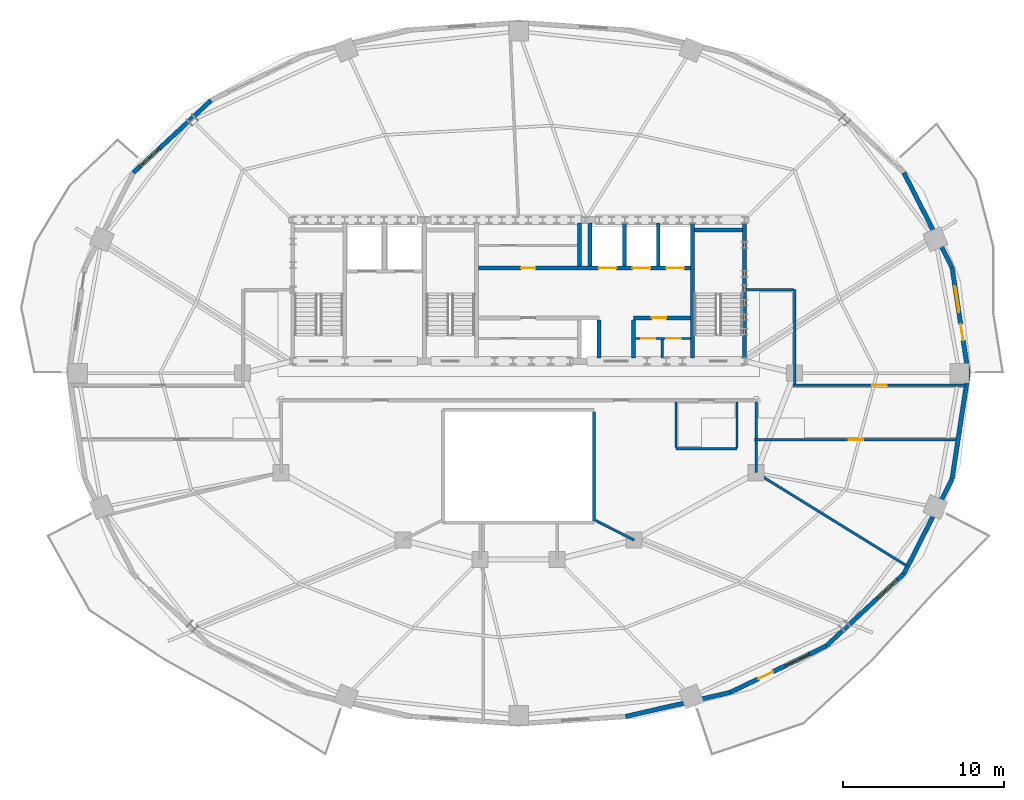
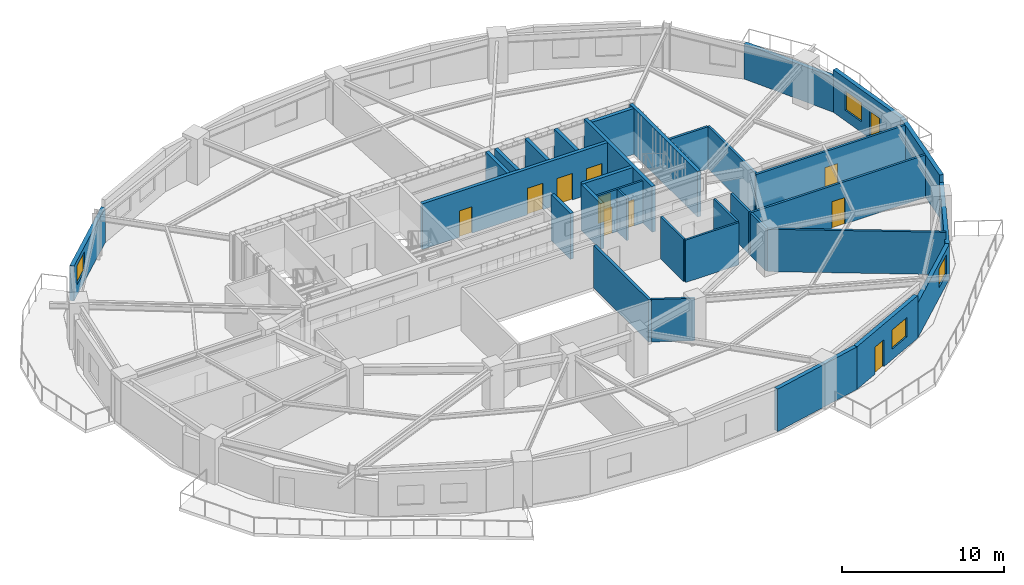
# One storey, part 5 of 11: 33 walls, 11 doors, 4 windows, 15 openings.
"""IFC4 building model written with IfcOpenShell, lengths in metres."""

from ifc_helpers import new_model, si_unit, direction, frame, frame_2d, origin, place, context, subcontext, project, spatial, rectangle, extrude, material, layer, layer_set, type_object, element, fill, save


model = new_model("IFC4")

# Units and contexts
model_context = context("Model", 3, precision=1e-05, world=origin(), true_north=direction((0.0, 1.0)))
body_context = subcontext(model_context, "Body", "Model", "MODEL_VIEW")
ifc_project = project(units=[si_unit("LENGTHUNIT", "METRE"), si_unit("AREAUNIT", "SQUARE_METRE"), si_unit("VOLUMEUNIT", "CUBIC_METRE"), si_unit("PLANEANGLEUNIT", "RADIAN"), si_unit("MASSUNIT", "GRAM", prefix="KILO")], contexts=[model_context])

# Site, building, storey
site_placement = place(None, origin())
site = spatial("IfcSite", under=ifc_project, at=site_placement, CompositionType="ELEMENT")
building_placement = place(site_placement, origin())
building = spatial("IfcBuilding", under=site, at=building_placement, Name="Haldorwick Loom Tower", CompositionType="ELEMENT")
storey_placement = place(building_placement, frame((0.0, 0.0, 215.199951171875)))
storey = spatial("IfcBuildingStorey", under=building, at=storey_placement, Name="L58", CompositionType="ELEMENT", Elevation=215.199951171875)

# Wall, openings, door, window
ifc_material_1 = material(Name="Pressed Clay Face Brick and Insulated Masonry Backup Assembly", Category="masonry")
ifc_layer_1 = layer(ifc_material_1, 0.280029296875, Name="Pressed Clay Face Brick and Insulated Masonry Backup Assembly", Category="masonry")
ifc_layer_set_1 = layer_set([ifc_layer_1], Name="Pressed Clay Face Brick and Insulated Masonry Backup Assembly")
wall_type_1 = type_object("IfcWallType", Name="ARC-WL-EXT280", PredefinedType="STANDARD", material=ifc_layer_set_1)
wall_1_placement = place(storey_placement, frame((64.00634765625, 26.0, 0.0), z_axis=(0.0, 0.0, 1.0), x_axis=(-0.150467697578, 0.988614926038, 0.0)))
wall_1 = element("IfcWall", 1, at=wall_1_placement, inside=storey, type_object=wall_type_1, Name="L58 Brick Pier and Spandrel Wall 1", PredefinedType="STANDARD", context=body_context, shape_type="SweptSolid", body=[
    extrude(rectangle(XDim=6.66064453125, YDim=0.280029296875, at=frame_2d((3.330322265625, 0.0))), origin(), (0.0, 0.0, 1.0), 3.2099609375),
])
opening_1_placement = place(wall_1_placement, frame((2.080078125, 0.0, 0.0)))
opening_1 = element("IfcOpeningElement", 2, at=opening_1_placement, cuts=wall_1, Name="Opening D-BL10", PredefinedType="OPENING", context=body_context, shape_type="SweptSolid", body=[
    extrude(rectangle(XDim=1.0, YDim=2.0400390625, at=frame_2d((0.5, 1.02001953125))), frame((0.0, 0.14990234375, 0.0), z_axis=(0.0, -1.0, 0.0), x_axis=(1.0, 0.0, 0.0)), (0.0, 0.0, 1.0), 0.300048828125),
])
opening_2_placement = place(wall_1_placement, frame((3.83740234375, 0.0, 0.800048828125)))
opening_2 = element("IfcOpeningElement", 3, at=opening_2_placement, cuts=wall_1, Name="Opening W-01B", PredefinedType="OPENING", context=body_context, shape_type="SweptSolid", body=[
    extrude(rectangle(XDim=1.64990234375, YDim=1.449951171875, at=frame_2d((0.824951171875, 0.72509765625))), frame((0.0, 0.14990234375, 0.0), z_axis=(0.0, -1.0, 0.0), x_axis=(1.0, 0.0, 0.0)), (0.0, 0.0, 1.0), 0.300048828125),
])
ifc_material_2 = material(Name="Thermally Broken Anodized Aluminium Curtain Wall Framing", Category="aluminium")
door_type_1 = type_object("IfcDoorType", Name="ARC-DR-BAL100", OperationType="NOTDEFINED", PredefinedType="DOOR", material=ifc_material_2)
door_1_placement = place(opening_1_placement, origin())
door_1 = element("IfcDoor", 4, at=door_1_placement, inside=storey, type_object=door_type_1, Name="L58 Outdoor Terrace Door SLB-L58-BAL_ENE", OperationType="SINGLE_SWING_RIGHT", OverallHeight=2.0400390625, OverallWidth=1.0, PredefinedType="DOOR", context=body_context, shape_type="SweptSolid", body=[
    extrude(rectangle(XDim=1.0, YDim=2.0400390625, at=frame_2d((0.5, 1.02001953125))), frame((0.0, 0.02490234375, 0.0), z_axis=(0.0, -1.0, 0.0), x_axis=(1.0, 0.0, 0.0)), (0.0, 0.0, 1.0), 0.050048828125),
])
fill(opening_1, door_1)
ifc_material_3 = material(Name="Triple-Glazed Low-E Argon Insulated Glazing Unit", Category="glass")
window_type = type_object("IfcWindowType", Name="ARC-WIN-W165", PartitioningType="SINGLE_PANEL", PredefinedType="WINDOW", material=ifc_material_3)
window_1_placement = place(opening_2_placement, origin())
window_1 = element("IfcWindow", 5, at=window_1_placement, inside=storey, type_object=window_type, Name="L58 Deep-Set Zone 7A Window 1", OverallHeight=1.449951171875, OverallWidth=1.64990234375, PartitioningType="SINGLE_PANEL", PredefinedType="WINDOW", context=body_context, shape_type="SweptSolid", body=[
    extrude(rectangle(XDim=1.64990234375, YDim=1.449951171875, at=frame_2d((0.824951171875, 0.72509765625))), frame((0.0, 0.030029296875, 0.0), z_axis=(0.0, -1.0, 0.0), x_axis=(1.0, 0.0, 0.0)), (0.0, 0.0, 1.0), 0.06005859375),
])
fill(opening_2, window_1)

# Wall
wall_2_placement = place(storey_placement, frame((63.004150390625, 32.584716796875, 0.0), z_axis=(0.0, 0.0, 1.0), x_axis=(-0.453032066879, 0.89149422117, 0.0)))
element("IfcWall", 6, at=wall_2_placement, inside=storey, type_object=wall_type_1, Name="L58 Brick Pier and Spandrel Wall 2", PredefinedType="STANDARD", context=body_context, shape_type="SweptSolid", body=[
    extrude(rectangle(XDim=6.618896484375, YDim=0.280029296875, at=frame_2d((3.3095703125, 0.0))), origin(), (0.0, 0.0, 1.0), 2.64111328125),
])

# Wall, opening, window
wall_3_placement = place(storey_placement, frame((16.838134765625, 42.995849609375, 0.0), z_axis=(0.0, 0.0, 1.0), x_axis=(-0.731833707499, -0.681483253329, 0.0)))
wall_3 = element("IfcWall", 7, at=wall_3_placement, inside=storey, type_object=wall_type_1, Name="L58 Brick Pier and Spandrel Wall 10", PredefinedType="STANDARD", context=body_context, shape_type="SweptSolid", body=[
    extrude(rectangle(XDim=6.61865234375, YDim=0.280029296875, at=frame_2d((3.309326171875, 0.0))), origin(), (0.0, 0.0, 1.0), 2.64111328125),
])
opening_3_placement = place(wall_3_placement, frame((4.38720703125, 0.0, 0.800048828125)))
opening_3 = element("IfcOpeningElement", 8, at=opening_3_placement, cuts=wall_3, Name="Opening W-01B", PredefinedType="OPENING", context=body_context, shape_type="SweptSolid", body=[
    extrude(rectangle(XDim=1.64990234375, YDim=1.449951171875, at=frame_2d((0.824951171875, 0.72509765625))), frame((0.0, 0.14990234375, 0.0), z_axis=(0.0, -1.0, 0.0), x_axis=(1.0, 0.0, 0.0)), (0.0, 0.0, 1.0), 0.300048828125),
])
window_2_placement = place(opening_3_placement, origin())
window_2 = element("IfcWindow", 9, at=window_2_placement, inside=storey, type_object=window_type, Name="L58 Deep-Set Zone 7A Window 10", OverallHeight=1.449951171875, OverallWidth=1.64990234375, PartitioningType="SINGLE_PANEL", PredefinedType="WINDOW", context=body_context, shape_type="SweptSolid", body=[
    extrude(rectangle(XDim=1.64990234375, YDim=1.449951171875, at=frame_2d((0.824951171875, 0.72509765625))), frame((0.0, 0.030029296875, 0.0), z_axis=(0.0, -1.0, 0.0), x_axis=(1.0, 0.0, 0.0)), (0.0, 0.0, 1.0), 0.06005859375),
])
fill(opening_3, window_2)

# Wall
wall_4_placement = place(storey_placement, frame((42.665283203125, 4.61279296875, 0.0), z_axis=(0.0, 0.0, 1.0), x_axis=(0.974557343474, 0.224138315065, 0.0)))
element("IfcWall", 10, at=wall_4_placement, inside=storey, type_object=wall_type_1, Name="L58 Brick Pier and Spandrel Wall 20", PredefinedType="STANDARD", context=body_context, shape_type="SweptSolid", body=[
    extrude(rectangle(XDim=6.676025390625, YDim=0.280029296875, at=frame_2d((3.337890625, 0.0))), origin(), (0.0, 0.0, 1.0), 3.2099609375),
])

# Wall, openings, door, window
wall_5_placement = place(storey_placement, frame((49.17138671875, 6.109130859375, 0.0), z_axis=(0.0, 0.0, 1.0), x_axis=(0.900371236029, 0.435122554381, 0.0)))
wall_5 = element("IfcWall", 11, at=wall_5_placement, inside=storey, type_object=wall_type_1, Name="L58 Brick Pier and Spandrel Wall 21", PredefinedType="STANDARD", context=body_context, shape_type="SweptSolid", body=[
    extrude(rectangle(XDim=6.6533203125, YDim=0.280029296875, at=frame_2d((3.32666015625, 0.0))), origin(), (0.0, 0.0, 1.0), 3.2099609375),
])
opening_4_placement = place(wall_5_placement, frame((1.96435546875, 0.0, 0.0)))
opening_4 = element("IfcOpeningElement", 12, at=opening_4_placement, cuts=wall_5, Name="Opening D-BL10", PredefinedType="OPENING", context=body_context, shape_type="SweptSolid", body=[
    extrude(rectangle(XDim=1.0, YDim=2.0400390625, at=frame_2d((0.5, 1.02001953125))), frame((0.0, 0.14990234375, 0.0), z_axis=(0.0, -1.0, 0.0), x_axis=(1.0, 0.0, 0.0)), (0.0, 0.0, 1.0), 0.300048828125),
])
opening_5_placement = place(wall_5_placement, frame((3.832275390625, 0.0, 0.800048828125)))
opening_5 = element("IfcOpeningElement", 13, at=opening_5_placement, cuts=wall_5, Name="Opening W-01B", PredefinedType="OPENING", context=body_context, shape_type="SweptSolid", body=[
    extrude(rectangle(XDim=1.64990234375, YDim=1.449951171875, at=frame_2d((0.824951171875, 0.72509765625))), frame((0.0, 0.14990234375, 0.0), z_axis=(0.0, -1.0, 0.0), x_axis=(1.0, 0.0, 0.0)), (0.0, 0.0, 1.0), 0.300048828125),
])
door_2_placement = place(opening_4_placement, origin())
door_2 = element("IfcDoor", 14, at=door_2_placement, inside=storey, type_object=door_type_1, Name="L58 Outdoor Terrace Door SLB-L58-BAL_SE", OperationType="SINGLE_SWING_RIGHT", OverallHeight=2.0400390625, OverallWidth=1.0, PredefinedType="DOOR", context=body_context, shape_type="SweptSolid", body=[
    extrude(rectangle(XDim=1.0, YDim=2.0400390625, at=frame_2d((0.5, 1.02001953125))), frame((0.0, 0.02490234375, 0.0), z_axis=(0.0, -1.0, 0.0), x_axis=(1.0, 0.0, 0.0)), (0.0, 0.0, 1.0), 0.050048828125),
])
fill(opening_4, door_2)
window_3_placement = place(opening_5_placement, origin())
window_3 = element("IfcWindow", 15, at=window_3_placement, inside=storey, type_object=window_type, Name="L58 Deep-Set Zone 7A Window 21", OverallHeight=1.449951171875, OverallWidth=1.64990234375, PartitioningType="SINGLE_PANEL", PredefinedType="WINDOW", context=body_context, shape_type="SweptSolid", body=[
    extrude(rectangle(XDim=1.64990234375, YDim=1.449951171875, at=frame_2d((0.824951171875, 0.72509765625))), frame((0.0, 0.030029296875, 0.0), z_axis=(0.0, -1.0, 0.0), x_axis=(1.0, 0.0, 0.0)), (0.0, 0.0, 1.0), 0.06005859375),
])
fill(opening_5, window_3)

# Wall, opening, window
wall_6_placement = place(storey_placement, frame((55.161865234375, 9.004150390625, 0.0), z_axis=(0.0, 0.0, 1.0), x_axis=(0.731833707499, 0.681483253329, 0.0)))
wall_6 = element("IfcWall", 16, at=wall_6_placement, inside=storey, type_object=wall_type_1, Name="L58 Brick Pier and Spandrel Wall 22", PredefinedType="STANDARD", context=body_context, shape_type="SweptSolid", body=[
    extrude(rectangle(XDim=6.61865234375, YDim=0.280029296875, at=frame_2d((3.309326171875, 0.0))), origin(), (0.0, 0.0, 1.0), 2.64111328125),
])
opening_6_placement = place(wall_6_placement, frame((4.38720703125, 0.0, 0.800048828125)))
opening_6 = element("IfcOpeningElement", 17, at=opening_6_placement, cuts=wall_6, Name="Opening W-01B", PredefinedType="OPENING", context=body_context, shape_type="SweptSolid", body=[
    extrude(rectangle(XDim=1.64990234375, YDim=1.449951171875, at=frame_2d((0.824951171875, 0.72509765625))), frame((0.0, 0.14990234375, 0.0), z_axis=(0.0, -1.0, 0.0), x_axis=(1.0, 0.0, 0.0)), (0.0, 0.0, 1.0), 0.300048828125),
])
window_4_placement = place(opening_6_placement, origin())
window_4 = element("IfcWindow", 18, at=window_4_placement, inside=storey, type_object=window_type, Name="L58 Deep-Set Zone 7A Window 22", OverallHeight=1.449951171875, OverallWidth=1.64990234375, PartitioningType="SINGLE_PANEL", PredefinedType="WINDOW", context=body_context, shape_type="SweptSolid", body=[
    extrude(rectangle(XDim=1.64990234375, YDim=1.449951171875, at=frame_2d((0.824951171875, 0.72509765625))), frame((0.0, 0.030029296875, 0.0), z_axis=(0.0, -1.0, 0.0), x_axis=(1.0, 0.0, 0.0)), (0.0, 0.0, 1.0), 0.06005859375),
])
fill(opening_6, window_4)

# Walls
wall_7_placement = place(storey_placement, frame((60.005615234375, 13.5146484375, 0.0), z_axis=(0.0, 0.0, 1.0), x_axis=(0.453032066879, 0.89149422117, 0.0)))
element("IfcWall", 19, at=wall_7_placement, inside=storey, type_object=wall_type_1, Name="L58 Brick Pier and Spandrel Wall 23", PredefinedType="STANDARD", context=body_context, shape_type="SweptSolid", body=[
    extrude(rectangle(XDim=6.618896484375, YDim=0.280029296875, at=frame_2d((3.3095703125, 0.0))), origin(), (0.0, 0.0, 1.0), 2.64111328125),
])
wall_8_placement = place(storey_placement, frame((63.004150390625, 19.415283203125, 0.0), z_axis=(0.0, 0.0, 1.0), x_axis=(0.150467697578, 0.988614926038, 0.0)))
element("IfcWall", 20, at=wall_8_placement, inside=storey, type_object=wall_type_1, Name="L58 Brick Pier and Spandrel Wall 24", PredefinedType="STANDARD", context=body_context, shape_type="SweptSolid", body=[
    extrude(rectangle(XDim=6.66064453125, YDim=0.280029296875, at=frame_2d((3.330322265625, 0.0))), origin(), (0.0, 0.0, 1.0), 3.2099609375),
])

# Wall, opening, door
ifc_material_4 = material(Name="Fire-Rated Type X Gypsum Stud Assembly EI 60")
ifc_layer_2 = layer(ifc_material_4, 0.159912109375, Name="Fire-Rated Type X Gypsum Stud Assembly EI 60")
ifc_layer_set_2 = layer_set([ifc_layer_2], Name="Fire-Rated Type X Gypsum Stud Assembly EI 60")
wall_type_2 = type_object("IfcWallType", Name="ARC-WL-FIRE160", PredefinedType="PARTITIONING", material=ifc_layer_set_2)
wall_9_placement = place(storey_placement, frame((50.699951171875, 21.85009765625, 0.0), z_axis=(0.0, 0.0, 1.0), x_axis=(1.0, 0.0, 0.0)))
wall_9 = element("IfcWall", 21, at=wall_9_placement, inside=storey, type_object=wall_type_2, Name="L58 Residential Fire Partition L58-CR-SPE", PredefinedType="PARTITIONING", context=body_context, shape_type="SweptSolid", body=[
    extrude(rectangle(XDim=12.629150390625, YDim=0.159912109375, at=frame_2d((6.314453125, 0.0))), origin(), (0.0, 0.0, 1.0), 3.195068359375),
])
opening_7_placement = place(wall_9_placement, frame((5.864501953125, 0.0, 0.0)))
opening_7 = element("IfcOpeningElement", 22, at=opening_7_placement, cuts=wall_9, Name="Opening D-FD60A", PredefinedType="OPENING", context=body_context, shape_type="SweptSolid", body=[
    extrude(rectangle(XDim=0.89990234375, YDim=2.0, at=frame_2d((0.449951171875, 1.0))), frame((0.0, 0.08984375, 0.0), z_axis=(0.0, -1.0, 0.0), x_axis=(1.0, 0.0, 0.0)), (0.0, 0.0, 1.0), 0.179931640625),
])
ifc_material_5 = material(Name="Hollow Steel Fire Door Assembly", Category="steel")
door_type_2 = type_object("IfcDoorType", Name="ARC-DR-FD60-90", OperationType="NOTDEFINED", PredefinedType="DOOR", material=ifc_material_5)
door_3_placement = place(opening_7_placement, origin())
door_3 = element("IfcDoor", 23, at=door_3_placement, inside=storey, type_object=door_type_2, Name="L58 L58 Central Residential Corridor to Telehealth Consultation Room 1 D", OperationType="SINGLE_SWING_LEFT", OverallHeight=2.0, OverallWidth=0.89990234375, PredefinedType="DOOR", context=body_context, shape_type="SweptSolid", body=[
    extrude(rectangle(XDim=0.89990234375, YDim=2.0, at=frame_2d((0.449951171875, 1.0))), frame((0.0, 0.02490234375, 0.0), z_axis=(0.0, -1.0, 0.0), x_axis=(1.0, 0.0, 0.0)), (0.0, 0.0, 1.0), 0.050048828125),
])
fill(opening_7, door_3)

# Wall
wall_10_placement = place(storey_placement, frame((50.800048828125, 21.93310546875, 0.0), z_axis=(0.0, 0.0, 1.0), x_axis=(0.0, 1.0, 0.0)))
element("IfcWall", 24, at=wall_10_placement, inside=storey, type_object=wall_type_2, Name="L58 Residential Fire Partition L58-CR-STE", PredefinedType="PARTITIONING", context=body_context, shape_type="SweptSolid", body=[
    extrude(rectangle(XDim=2.283935546875, YDim=0.159912109375, at=frame_2d((1.14208984375, 0.0))), origin(), (0.0, 0.0, 1.0), 3.195068359375),
])

# Wall, opening, door
wall_11_placement = place(storey_placement, frame((53.10009765625, 25.25, 0.0), z_axis=(0.0, 0.0, 1.0), x_axis=(1.0, 0.0, 0.0)))
wall_11 = element("IfcWall", 25, at=wall_11_placement, inside=storey, type_object=wall_type_2, Name="L58 Residential Fire Partition L58-CR-NEL", PredefinedType="PARTITIONING", context=body_context, shape_type="SweptSolid", body=[
    extrude(rectangle(XDim=10.74658203125, YDim=0.159912109375, at=frame_2d((5.373291015625, 0.0))), origin(), (0.0, 0.0, 1.0), 3.195068359375),
])
opening_8_placement = place(wall_11_placement, frame((4.92333984375, 0.0, 0.0)))
opening_8 = element("IfcOpeningElement", 26, at=opening_8_placement, cuts=wall_11, Name="Opening D-FD60A", PredefinedType="OPENING", context=body_context, shape_type="SweptSolid", body=[
    extrude(rectangle(XDim=0.89990234375, YDim=2.0, at=frame_2d((0.449951171875, 1.0))), frame((0.0, 0.08984375, 0.0), z_axis=(0.0, -1.0, 0.0), x_axis=(1.0, 0.0, 0.0)), (0.0, 0.0, 1.0), 0.179931640625),
])
door_4_placement = place(opening_8_placement, frame((0.89990234375, 0.0, 0.0), z_axis=(0.0, 0.0, 1.0), x_axis=(-1.0, 0.0, 0.0)))
door_4 = element("IfcDoor", 27, at=door_4_placement, inside=storey, type_object=door_type_2, Name="L58 Tenant Seminar Meeting Room 6 to L58 Central Residential Corridor Do", OperationType="SINGLE_SWING_RIGHT", OverallHeight=2.0, OverallWidth=0.89990234375, PredefinedType="DOOR", context=body_context, shape_type="SweptSolid", body=[
    extrude(rectangle(XDim=0.89990234375, YDim=2.0, at=frame_2d((0.449951171875, 1.0))), frame((0.0, 0.02490234375, 0.0), z_axis=(0.0, -1.0, 0.0), x_axis=(1.0, 0.0, 0.0)), (0.0, 0.0, 1.0), 0.050048828125),
])
fill(opening_8, door_4)

# Walls
wall_12_placement = place(storey_placement, frame((53.199951171875, 25.3330078125, 0.0), z_axis=(0.0, 0.0, 1.0), x_axis=(0.0, 1.0, 0.0)))
element("IfcWall", 28, at=wall_12_placement, inside=storey, type_object=wall_type_2, Name="L58 Residential Fire Partition L58-CR-E0", PredefinedType="PARTITIONING", context=body_context, shape_type="SweptSolid", body=[
    extrude(rectangle(XDim=5.866943359375, YDim=0.159912109375, at=frame_2d((2.93359375, 0.0))), origin(), (0.0, 0.0, 1.0), 3.195068359375),
])
wall_13_placement = place(storey_placement, frame((50.193115234375, 31.199951171875, 0.0), z_axis=(0.0, 0.0, 1.0), x_axis=(1.0, 0.0, 0.0)))
element("IfcWall", 29, at=wall_13_placement, inside=storey, type_object=wall_type_2, Name="L58 Residential Fire Partition L58-CR-ENJ", PredefinedType="PARTITIONING", context=body_context, shape_type="SweptSolid", body=[
    extrude(rectangle(XDim=2.923828125, YDim=0.159912109375, at=frame_2d((1.4619140625, 0.0))), origin(), (0.0, 0.0, 1.0), 3.195068359375),
])
wall_14_placement = place(storey_placement, frame((50.800048828125, 19.800048828125, 0.0), z_axis=(0.0, 0.0, 1.0), x_axis=(0.850537239217, -0.525914826473, 0.0)))
element("IfcWall", 30, at=wall_14_placement, inside=storey, type_object=wall_type_2, Name="L58 Residential Fire Partition L58-ICR-02", PredefinedType="PARTITIONING", context=body_context, shape_type="SweptSolid", body=[
    extrude(rectangle(XDim=11.048095703125, YDim=0.159912109375, at=frame_2d((5.52392578125, 0.0))), origin(), (0.0, 0.0, 1.0), 3.195068359375),
])
wall_15_placement = place(storey_placement, frame((50.800048828125, 21.76708984375, 0.0), z_axis=(0.0, 0.0, 1.0), x_axis=(0.0, -1.0, 0.0)))
element("IfcWall", 31, at=wall_15_placement, inside=storey, type_object=wall_type_2, Name="L58 Residential Fire Partition L58-ICA-01", PredefinedType="PARTITIONING", context=body_context, shape_type="SweptSolid", body=[
    extrude(rectangle(XDim=1.967041015625, YDim=0.159912109375, at=frame_2d((0.9833984375, 0.0))), origin(), (0.0, 0.0, 1.0), 3.195068359375),
])
wall_16_placement = place(storey_placement, frame((40.802978515625, 16.822021484375, 0.0), z_axis=(0.0, 0.0, 1.0), x_axis=(0.890915506237, -0.454169088278, 0.0)))
element("IfcWall", 32, at=wall_16_placement, inside=storey, type_object=wall_type_2, Name="L58 Residential Fire Partition L58-ICA-03", PredefinedType="PARTITIONING", context=body_context, shape_type="SweptSolid", body=[
    extrude(rectangle(XDim=2.6904296875, YDim=0.159912109375, at=frame_2d((1.34521484375, 0.0))), origin(), (0.0, 0.0, 1.0), 3.195068359375),
])
ifc_material_6 = material(Name="Fire-Rated Type X Gypsum Stud Assembly EI 120")
ifc_layer_3 = layer(ifc_material_6, 0.199951171875, Name="Fire-Rated Type X Gypsum Stud Assembly EI 120")
ifc_layer_set_3 = layer_set([ifc_layer_3], Name="Fire-Rated Type X Gypsum Stud Assembly EI 120")
wall_type_3 = type_object("IfcWallType", Name="ARC-WL-FIRE200", PredefinedType="PARTITIONING", material=ifc_layer_set_3)
wall_17_placement = place(storey_placement, frame((40.699951171875, 23.596923828125, 0.0), z_axis=(0.0, 0.0, 1.0), x_axis=(0.0, -1.0, 0.0)))
element("IfcWall", 33, at=wall_17_placement, inside=storey, type_object=wall_type_3, Name="L58 Atrium Fire Enclosure Wall E", PredefinedType="PARTITIONING", context=body_context, shape_type="SweptSolid", body=[
    extrude(rectangle(XDim=6.7939453125, YDim=0.199951171875, at=frame_2d((3.39697265625, 0.0))), origin(), (0.0, 0.0, 1.0), 3.195068359375),
])

# Wall, openings, doors
ifc_layer_4 = layer(ifc_material_4, 0.139892578125, Name="Fire-Rated Type X Gypsum Stud Assembly EI 60")
ifc_layer_set_4 = layer_set([ifc_layer_4], Name="Fire-Rated Type X Gypsum Stud Assembly EI 60")
wall_type_4 = type_object("IfcWallType", Name="ARC-WL-PART140", PredefinedType="PARTITIONING", material=ifc_layer_set_4)
wall_18_placement = place(storey_placement, frame((43.27294921875, 28.159912109375, 0.0), z_axis=(0.0, 0.0, 1.0), x_axis=(1.0, 0.0, 0.0)))
wall_18 = element("IfcWall", 34, at=wall_18_placement, inside=storey, type_object=wall_type_4, Name="L58 Telecom Partition", PredefinedType="PARTITIONING", context=body_context, shape_type="SweptSolid", body=[
    extrude(rectangle(XDim=3.43408203125, YDim=0.139892578125, at=frame_2d((1.717041015625, 0.0))), origin(), (0.0, 0.0, 1.0), 3.195068359375),
])
opening_9_placement = place(wall_18_placement, frame((0.366943359375, 0.0, 0.0)))
opening_9 = element("IfcOpeningElement", 35, at=opening_9_placement, cuts=wall_18, Name="Opening D-BT88", PredefinedType="OPENING", context=body_context, shape_type="SweptSolid", body=[
    extrude(rectangle(XDim=0.8798828125, YDim=2.02001953125, at=frame_2d((0.43994140625, 1.010009765625))), frame((0.0, 0.079833984375, 0.0), z_axis=(0.0, -1.0, 0.0), x_axis=(1.0, 0.0, 0.0)), (0.0, 0.0, 1.0), 0.159912109375),
])
opening_10_placement = place(wall_18_placement, frame((1.93701171875, 0.0, 0.0)))
opening_10 = element("IfcOpeningElement", 36, at=opening_10_placement, cuts=wall_18, Name="Opening D-BT88", PredefinedType="OPENING", context=body_context, shape_type="SweptSolid", body=[
    extrude(rectangle(XDim=0.8798828125, YDim=2.02001953125, at=frame_2d((0.43994140625, 1.010009765625))), frame((0.0, 0.079833984375, 0.0), z_axis=(0.0, -1.0, 0.0), x_axis=(1.0, 0.0, 0.0)), (0.0, 0.0, 1.0), 0.159912109375),
])
ifc_material_7 = material(Name="Solid Core Birch Architectural Door")
door_type_3 = type_object("IfcDoorType", Name="ARC-DR-BATH88", OperationType="NOTDEFINED", PredefinedType="DOOR", material=ifc_material_7)
door_5_placement = place(opening_9_placement, origin())
door_5 = element("IfcDoor", 37, at=door_5_placement, inside=storey, type_object=door_type_3, Name="L58 Telecom Room Door", OperationType="SINGLE_SWING_LEFT", OverallHeight=2.02001953125, OverallWidth=0.8798828125, PredefinedType="DOOR", context=body_context, shape_type="SweptSolid", body=[
    extrude(rectangle(XDim=0.8798828125, YDim=2.02001953125, at=frame_2d((0.43994140625, 1.010009765625))), frame((0.0, 0.02490234375, 0.0), z_axis=(0.0, -1.0, 0.0), x_axis=(1.0, 0.0, 0.0)), (0.0, 0.0, 1.0), 0.050048828125),
])
fill(opening_9, door_5)
door_6_placement = place(opening_10_placement, origin())
door_6 = element("IfcDoor", 38, at=door_6_placement, inside=storey, type_object=door_type_3, Name="L58 Metering Closet Door", OperationType="SINGLE_SWING_RIGHT", OverallHeight=2.02001953125, OverallWidth=0.8798828125, PredefinedType="DOOR", context=body_context, shape_type="SweptSolid", body=[
    extrude(rectangle(XDim=0.8798828125, YDim=2.02001953125, at=frame_2d((0.43994140625, 1.010009765625))), frame((0.0, 0.02490234375, 0.0), z_axis=(0.0, -1.0, 0.0), x_axis=(1.0, 0.0, 0.0)), (0.0, 0.0, 1.0), 0.050048828125),
])
fill(opening_10, door_6)

# Walls
wall_19_placement = place(storey_placement, frame((44.949951171875, 26.952880859375, 0.0), z_axis=(0.0, 0.0, 1.0), x_axis=(0.0, 1.0, 0.0)))
element("IfcWall", 39, at=wall_19_placement, inside=storey, type_object=wall_type_4, Name="L58 Metering Sub-Partition", PredefinedType="PARTITIONING", context=body_context, shape_type="SweptSolid", body=[
    extrude(rectangle(XDim=1.134033203125, YDim=0.139892578125, at=frame_2d((0.56689453125, 0.0))), origin(), (0.0, 0.0, 1.0), 3.195068359375),
])
wall_20_placement = place(storey_placement, frame((45.800048828125, 21.300048828125, 0.0), z_axis=(0.0, 0.0, 1.0), x_axis=(1.0, 0.0, 0.0)))
element("IfcWall", 40, at=wall_20_placement, inside=storey, type_object=wall_type_4, Name="L58 Residential Fire Partition L58-CWC-S", PredefinedType="PARTITIONING", context=body_context, shape_type="SweptSolid", body=[
    extrude(rectangle(XDim=3.800048828125, YDim=0.139892578125, at=frame_2d((1.89990234375, 0.0))), origin(), (0.0, 0.0, 1.0), 3.195068359375),
])
for number, where, z_axis, x_axis, name in (
    (41, (45.800048828125, 21.373046875, 0.0), (0.0, 0.0, 1.0), (0.0, 1.0, 0.0), "L58 Residential Fire Partition L58-CWC-W"),
    (42, (49.60009765625, 21.373046875, 0.0), (0.0, 0.0, 1.0), (0.0, 1.0, 0.0), "L58 Residential Fire Partition L58-CWC-E"),
):
    element("IfcWall", number, at=place(storey_placement, frame(where, z_axis=z_axis, x_axis=x_axis)), inside=storey, type_object=wall_type_4, Name=name, PredefinedType="PARTITIONING", context=body_context, shape_type="SweptSolid", body=[
        extrude(rectangle(XDim=2.843994140625, YDim=0.139892578125, at=frame_2d((1.421875, 0.0))), origin(), (0.0, 0.0, 1.0), 3.195068359375),
    ])
ifc_material_8 = material(Name="Concrete C50 (50 MPa)", Category="concrete")
ifc_layer_5 = layer(ifc_material_8, 0.239990234375, Name="Concrete C50 (50 MPa)", Category="concrete")
ifc_layer_set_5 = layer_set([ifc_layer_5], Name="Concrete C50 (50 MPa)")
wall_type_5 = type_object("IfcWallType", Name="STR-WL-SHAFT240", PredefinedType="SHEAR", material=ifc_layer_set_5)
for number, where, z_axis, x_axis, name in (
    (43, (50.070068359375, 26.952880859375, 0.0), (0.0, 0.0, 1.0), (0.0, 1.0, 0.0), "L58 Core Shear Wall E"),
    (44, (46.830078125, 26.952880859375, 0.0), (0.0, 0.0, 1.0), (0.0, 1.0, 0.0), "L58 Core Shear Wall 4"),
):
    element("IfcWall", number, at=place(storey_placement, frame(where, z_axis=z_axis, x_axis=x_axis)), inside=storey, type_object=wall_type_5, Name=name, PredefinedType="SHEAR", context=body_context, shape_type="SweptSolid", body=[
        extrude(rectangle(XDim=8.39404296875, YDim=0.239990234375, at=frame_2d((4.197021484375, 0.0))), origin(), (0.0, 0.0, 1.0), 3.449951171875),
    ])
wall_21_placement = place(storey_placement, frame((46.952880859375, 34.919921875, 0.0), z_axis=(0.0, 0.0, 1.0), x_axis=(1.0, 0.0, 0.0)))
element("IfcWall", 45, at=wall_21_placement, inside=storey, type_object=wall_type_5, Name="L58 Core Shear Wall 4N", PredefinedType="SHEAR", context=body_context, shape_type="SweptSolid", body=[
    extrude(rectangle(XDim=2.994140625, YDim=0.239990234375, at=frame_2d((1.4970703125, 0.0))), origin(), (0.0, 0.0, 1.0), 3.449951171875),
])

# Wall, openings, doors
wall_22_placement = place(storey_placement, frame((33.492919921875, 32.550048828125, 0.0), z_axis=(0.0, 0.0, 1.0), x_axis=(1.0, 0.0, 0.0)))
wall_22 = element("IfcWall", 46, at=wall_22_placement, inside=storey, type_object=wall_type_5, Name="L58 Core Shear Wall LN", PredefinedType="SHEAR", context=body_context, shape_type="SweptSolid", body=[
    extrude(rectangle(XDim=13.214111328125, YDim=0.239990234375, at=frame_2d((6.60693359375, 0.0))), origin(), (0.0, 0.0, 1.0), 3.449951171875),
])
opening_11_placement = place(wall_22_placement, frame((2.656982421875, 0.0, 0.0)))
opening_11 = element("IfcOpeningElement", 47, at=opening_11_placement, cuts=wall_22, Name="Opening D-FD60A", PredefinedType="OPENING", context=body_context, shape_type="SweptSolid", body=[
    extrude(rectangle(XDim=0.89990234375, YDim=2.0, at=frame_2d((0.449951171875, 1.0))), frame((0.0, 0.1298828125, 0.0), z_axis=(0.0, -1.0, 0.0), x_axis=(1.0, 0.0, 0.0)), (0.0, 0.0, 1.0), 0.260009765625),
])
opening_12_placement = place(wall_22_placement, frame((7.4970703125, 0.0, 0.0)))
opening_12 = element("IfcOpeningElement", 48, at=opening_12_placement, cuts=wall_22, Name="Opening LD-H1", PredefinedType="OPENING", context=body_context, shape_type="SweptSolid", body=[
    extrude(rectangle(XDim=1.1201171875, YDim=2.0, at=frame_2d((0.56005859375, 1.0))), frame((0.0, 0.1298828125, 0.0), z_axis=(0.0, -1.0, 0.0), x_axis=(1.0, 0.0, 0.0)), (0.0, 0.0, 1.0), 0.260009765625),
])
opening_13_placement = place(wall_22_placement, frame((9.596923828125, 0.0, 0.0)))
opening_13 = element("IfcOpeningElement", 49, at=opening_13_placement, cuts=wall_22, Name="Opening LD-H2", PredefinedType="OPENING", context=body_context, shape_type="SweptSolid", body=[
    extrude(rectangle(XDim=1.1201171875, YDim=2.0, at=frame_2d((0.56005859375, 1.0))), frame((0.0, 0.1298828125, 0.0), z_axis=(0.0, -1.0, 0.0), x_axis=(1.0, 0.0, 0.0)), (0.0, 0.0, 1.0), 0.260009765625),
])
opening_14_placement = place(wall_22_placement, frame((11.697021484375, 0.0, 0.0)))
opening_14 = element("IfcOpeningElement", 50, at=opening_14_placement, cuts=wall_22, Name="Opening LD-H3", PredefinedType="OPENING", context=body_context, shape_type="SweptSolid", body=[
    extrude(rectangle(XDim=1.1201171875, YDim=2.0, at=frame_2d((0.56005859375, 1.0))), frame((0.0, 0.1298828125, 0.0), z_axis=(0.0, -1.0, 0.0), x_axis=(1.0, 0.0, 0.0)), (0.0, 0.0, 1.0), 0.260009765625),
])
door_7_placement = place(opening_11_placement, frame((0.89990234375, 0.0, 0.0), z_axis=(0.0, 0.0, 1.0), x_axis=(-1.0, 0.0, 0.0)))
door_7 = element("IfcDoor", 51, at=door_7_placement, inside=storey, type_object=door_type_2, Name="L58 Floor Equipment Door", OperationType="SINGLE_SWING_RIGHT", OverallHeight=2.0, OverallWidth=0.89990234375, PredefinedType="DOOR", context=body_context, shape_type="SweptSolid", body=[
    extrude(rectangle(XDim=0.89990234375, YDim=2.0, at=frame_2d((0.449951171875, 1.0))), frame((0.0, 0.02490234375, 0.0), z_axis=(0.0, -1.0, 0.0), x_axis=(1.0, 0.0, 0.0)), (0.0, 0.0, 1.0), 0.050048828125),
])
fill(opening_11, door_7)
door_type_4 = type_object("IfcDoorType", Name="ARC-DR-LD-PAX", OperationType="NOTDEFINED", PredefinedType="USERDEFINED", material=ifc_material_5)
door_8_placement = place(opening_12_placement, origin())
door_8 = element("IfcDoor", 52, at=door_8_placement, inside=storey, type_object=door_type_4, Name="L58 Lift LF-H1 Sliding Landing Door", ObjectType="LANDING DOOR", OperationType="DOUBLE_DOOR_SLIDING", OverallHeight=2.0, OverallWidth=1.1201171875, PredefinedType="USERDEFINED", context=body_context, shape_type="SweptSolid", body=[
    extrude(rectangle(XDim=1.1201171875, YDim=2.0, at=frame_2d((0.56005859375, 1.0))), frame((0.0, 0.02490234375, 0.0), z_axis=(0.0, -1.0, 0.0), x_axis=(1.0, 0.0, 0.0)), (0.0, 0.0, 1.0), 0.050048828125),
])
fill(opening_12, door_8)
door_9_placement = place(opening_13_placement, origin())
door_9 = element("IfcDoor", 53, at=door_9_placement, inside=storey, type_object=door_type_4, Name="L58 Lift LF-H2 Sliding Landing Door", ObjectType="LANDING DOOR", OperationType="DOUBLE_DOOR_SLIDING", OverallHeight=2.0, OverallWidth=1.1201171875, PredefinedType="USERDEFINED", context=body_context, shape_type="SweptSolid", body=[
    extrude(rectangle(XDim=1.1201171875, YDim=2.0, at=frame_2d((0.56005859375, 1.0))), frame((0.0, 0.02490234375, 0.0), z_axis=(0.0, -1.0, 0.0), x_axis=(1.0, 0.0, 0.0)), (0.0, 0.0, 1.0), 0.050048828125),
])
fill(opening_13, door_9)
door_10_placement = place(opening_14_placement, origin())
door_10 = element("IfcDoor", 54, at=door_10_placement, inside=storey, type_object=door_type_4, Name="L58 Lift LF-H3 Sliding Landing Door", ObjectType="LANDING DOOR", OperationType="DOUBLE_DOOR_SLIDING", OverallHeight=2.0, OverallWidth=1.1201171875, PredefinedType="USERDEFINED", context=body_context, shape_type="SweptSolid", body=[
    extrude(rectangle(XDim=1.1201171875, YDim=2.0, at=frame_2d((0.56005859375, 1.0))), frame((0.0, 0.02490234375, 0.0), z_axis=(0.0, -1.0, 0.0), x_axis=(1.0, 0.0, 0.0)), (0.0, 0.0, 1.0), 0.050048828125),
])
fill(opening_14, door_10)

# Wall, opening, door
wall_23_placement = place(storey_placement, frame((43.14990234375, 29.449951171875, 0.0), z_axis=(0.0, 0.0, 1.0), x_axis=(1.0, 0.0, 0.0)))
wall_23 = element("IfcWall", 55, at=wall_23_placement, inside=storey, type_object=wall_type_5, Name="L58 Core Shear Wall LS2", PredefinedType="SHEAR", context=body_context, shape_type="SweptSolid", body=[
    extrude(rectangle(XDim=3.55712890625, YDim=0.239990234375, at=frame_2d((1.778564453125, 0.0))), origin(), (0.0, 0.0, 1.0), 3.449951171875),
])
opening_15_placement = place(wall_23_placement, frame((1.14990234375, 0.0, 0.0)))
opening_15 = element("IfcOpeningElement", 56, at=opening_15_placement, cuts=wall_23, Name="Opening D-FD60A", PredefinedType="OPENING", context=body_context, shape_type="SweptSolid", body=[
    extrude(rectangle(XDim=0.89990234375, YDim=2.0, at=frame_2d((0.449951171875, 1.0))), frame((0.0, 0.1298828125, 0.0), z_axis=(0.0, -1.0, 0.0), x_axis=(1.0, 0.0, 0.0)), (0.0, 0.0, 1.0), 0.260009765625),
])
door_11_placement = place(opening_15_placement, origin())
door_11 = element("IfcDoor", 57, at=door_11_placement, inside=storey, type_object=door_type_2, Name="L58 Janitor Closet Door", OperationType="SINGLE_SWING_LEFT", OverallHeight=2.0, OverallWidth=0.89990234375, PredefinedType="DOOR", context=body_context, shape_type="SweptSolid", body=[
    extrude(rectangle(XDim=0.89990234375, YDim=2.0, at=frame_2d((0.449951171875, 1.0))), frame((0.0, 0.02490234375, 0.0), z_axis=(0.0, -1.0, 0.0), x_axis=(1.0, 0.0, 0.0)), (0.0, 0.0, 1.0), 0.050048828125),
])
fill(opening_15, door_11)

# Walls
for number, where, z_axis, x_axis, name in (
    (58, (41.0, 26.952880859375, 0.0), (0.0, 0.0, 1.0), (0.0, 1.0, 0.0), "L58 Core Shear Wall THW"),
    (59, (43.14990234375, 26.952880859375, 0.0), (0.0, 0.0, 1.0), (0.0, 1.0, 0.0), "L58 Core Shear Wall THE"),
):
    element("IfcWall", number, at=place(storey_placement, frame(where, z_axis=z_axis, x_axis=x_axis)), inside=storey, type_object=wall_type_5, Name=name, PredefinedType="SHEAR", context=body_context, shape_type="SweptSolid", body=[
        extrude(rectangle(XDim=2.3740234375, YDim=0.239990234375, at=frame_2d((1.18701171875, 0.0))), origin(), (0.0, 0.0, 1.0), 3.449951171875),
    ])
for number, where, z_axis, x_axis, name in (
    (60, (39.800048828125, 32.673095703125, 0.0), (0.0, 0.0, 1.0), (0.0, 1.0, 0.0), "L58 Core Shear Wall LHW"),
    (61, (40.449951171875, 32.673095703125, 0.0), (0.0, 0.0, 1.0), (0.0, 1.0, 0.0), "L58 Core Shear Wall H0"),
    (62, (42.60009765625, 32.673095703125, 0.0), (0.0, 0.0, 1.0), (0.0, 1.0, 0.0), "L58 Core Shear Wall H1"),
    (63, (44.699951171875, 32.673095703125, 0.0), (0.0, 0.0, 1.0), (0.0, 1.0, 0.0), "L58 Core Shear Wall H2"),
):
    element("IfcWall", number, at=place(storey_placement, frame(where, z_axis=z_axis, x_axis=x_axis)), inside=storey, type_object=wall_type_5, Name=name, PredefinedType="SHEAR", context=body_context, shape_type="SweptSolid", body=[
        extrude(rectangle(XDim=2.673828125, YDim=0.239990234375, at=frame_2d((1.3369140625, 0.0))), origin(), (0.0, 0.0, 1.0), 3.449951171875),
    ])

save(model, "model.ifc")
